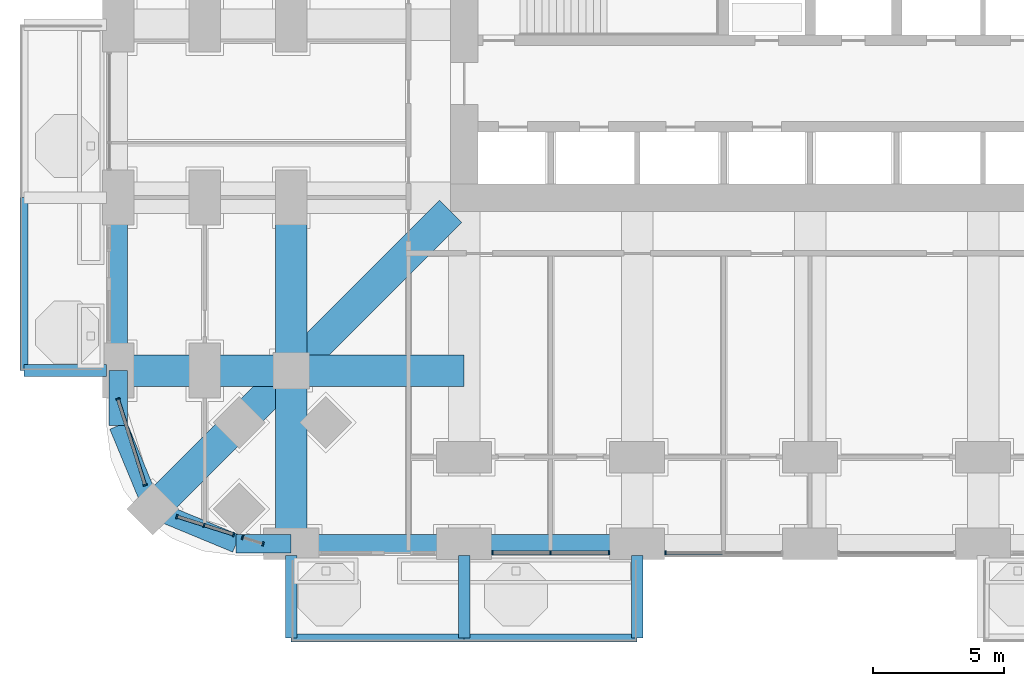
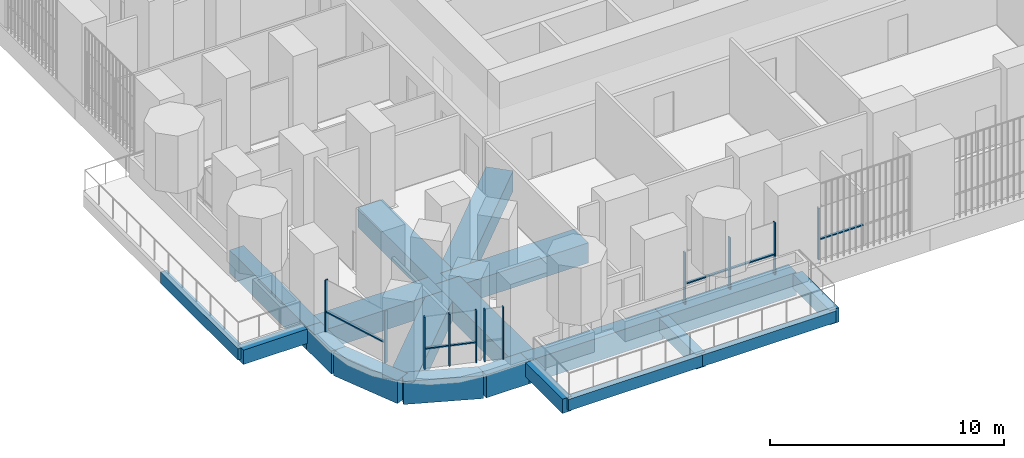
# One storey, part 2 of 27: 20 beams, 17 members, 5 elements without a shape of their own.
"""IFC4 building model written with IfcOpenShell, lengths in metres."""

from ifc_helpers import new_model, si_unit, direction, frame, origin, origin_2d, place, context, subcontext, project, spatial, rectangle, extrude, material, material_profile, profile_set, type_object, element, aggregate, save


model = new_model("IFC4")

# Units and contexts
model_context = context("Model", 3, precision=1e-05, world=origin(), true_north=direction((0.0, 1.0)))
body_context = subcontext(model_context, "Body", "Model", "MODEL_VIEW")
ifc_project = project(units=[si_unit("LENGTHUNIT", "METRE"), si_unit("AREAUNIT", "SQUARE_METRE"), si_unit("VOLUMEUNIT", "CUBIC_METRE"), si_unit("PLANEANGLEUNIT", "RADIAN"), si_unit("MASSUNIT", "GRAM", prefix="KILO")], contexts=[model_context])

# Site, building, storey
site_placement = place(None, origin())
site = spatial("IfcSite", under=ifc_project, at=site_placement, CompositionType="ELEMENT")
building_placement = place(site_placement, origin())
building = spatial("IfcBuilding", under=site, at=building_placement, Name="Cobogo Forest Laboratory Tower", CompositionType="ELEMENT")
storey_placement = place(building_placement, frame((0.0, 0.0, 38.10009765625)))
storey = spatial("IfcBuildingStorey", under=building, at=storey_placement, Name="L08", CompositionType="ELEMENT", Elevation=38.10009765625)

# Beams
ifc_material_1 = material(Name="Concrete HA-40 (C40/50)", Category="concrete")
ifc_material_profile_1 = material_profile(ifc_material_1, rectangle(XDim=0.449951171875, YDim=0.75, at=origin_2d()), Name="RC 450x750")
ifc_profile_set_1 = profile_set([ifc_material_profile_1], Name="Concrete HA-40 (C40/50)")
beam_type_1 = type_object("IfcBeamType", Name="Balcony cantilever beam 450x750", PredefinedType="BEAM", material=ifc_profile_set_1)
for number, where, z_axis, x_axis, name in (
    (1, (6.60009765625, -0.449951171875, -0.625), (0.0, -1.0, 0.0), (1.0, 0.0, 0.0), "CB1 BAL-S1-C1 L08"),
    (2, (13.199951171875, -0.449951171875, -0.625), (0.0, -1.0, 0.0), (1.0, 0.0, 0.0), "CB1 BAL-S1-C2 L08"),
    (3, (19.800048828125, -0.449951171875, -0.625), (0.0, -1.0, 0.0), (1.0, 0.0, 0.0), "CB1 BAL-S1-C3 L08"),
    (4, (-0.449951171875, 6.60009765625, -0.625), (-1.0, 0.0, 0.0), (0.0, -1.0, 0.0), "CB1 BAL-W1-C1 L08"),
):
    element("IfcBeam", number, at=place(storey_placement, frame(where, z_axis=z_axis, x_axis=x_axis)), inside=storey, type_object=beam_type_1, Name=name, PredefinedType="BEAM", context=body_context, shape_type="SweptSolid", body=[
        extrude(rectangle(XDim=0.449951171875, YDim=0.75, at=origin_2d()), origin(), (0.0, 0.0, 1.0), 3.150146484375),
    ])
ifc_material_profile_2 = material_profile(ifc_material_1, rectangle(XDim=0.300048828125, YDim=0.60009765625, at=origin_2d()), Name="RC 300x600")
ifc_profile_set_2 = profile_set([ifc_material_profile_2], Name="Concrete HA-40 (C40/50)")
beam_type_2 = type_object("IfcBeamType", Name="Balcony edge beam 300x600", PredefinedType="BEAM", material=ifc_profile_set_2)
beam_1_placement = place(storey_placement, frame((6.60009765625, -3.60009765625, -0.550048828125), z_axis=(1.0, 0.0, 0.0), x_axis=(0.0, 1.0, 0.0)))
element("IfcBeam", 5, at=beam_1_placement, inside=storey, type_object=beam_type_2, Name="BB1 BAL-S1-T1 L08", PredefinedType="BEAM", context=body_context, shape_type="SweptSolid", body=[
    extrude(rectangle(XDim=0.300048828125, YDim=0.60009765625, at=origin_2d()), origin(), (0.0, 0.0, 1.0), 6.599853515625),
])
beam_2_placement = place(storey_placement, frame((13.199951171875, -3.60009765625, -0.550048828125), z_axis=(1.0, 0.0, 0.0), x_axis=(0.0, 1.0, 0.0)))
element("IfcBeam", 6, at=beam_2_placement, inside=storey, type_object=beam_type_2, Name="BB1 BAL-S1-T2 L08", PredefinedType="BEAM", context=body_context, shape_type="SweptSolid", body=[
    extrude(rectangle(XDim=0.300048828125, YDim=0.60009765625, at=origin_2d()), origin(), (0.0, 0.0, 1.0), 6.60009765625),
])
beam_3_placement = place(storey_placement, frame((-3.60009765625, 6.60009765625, -0.550048828125), z_axis=(0.0, 1.0, 0.0), x_axis=(-1.0, 0.0, 0.0)))
element("IfcBeam", 7, at=beam_3_placement, inside=storey, type_object=beam_type_2, Name="BB1 BAL-W1-T1 L08", PredefinedType="BEAM", context=body_context, shape_type="SweptSolid", body=[
    extrude(rectangle(XDim=0.300048828125, YDim=0.60009765625, at=origin_2d()), origin(), (0.0, 0.0, 1.0), 6.599853515625),
])
ifc_material_profile_3 = material_profile(ifc_material_1, rectangle(XDim=1.199951171875, YDim=1.050048828125, at=origin_2d()), Name="RC 1200x1050")
ifc_profile_set_3 = profile_set([ifc_material_profile_3], Name="Concrete HA-40 (C40/50)")
beam_type_3 = type_object("IfcBeamType", Name="Laboratory floor wide beam 1200x1050", PredefinedType="BEAM", material=ifc_profile_set_3)
beam_4_placement = place(storey_placement, frame((6.60009765625, 0.0, -0.8251953125), z_axis=(0.0, 1.0, 0.0), x_axis=(-1.0, 0.0, 0.0)))
element("IfcBeam", 8, at=beam_4_placement, inside=storey, type_object=beam_type_3, Name="RB1 G-SW-XF L08", PredefinedType="BEAM", context=body_context, shape_type="SweptSolid", body=[
    extrude(rectangle(XDim=1.199951171875, YDim=1.050048828125, at=origin_2d()), origin(), (0.0, 0.0, 1.0), 6.60009765625),
])
beam_5_placement = place(storey_placement, frame((6.60009765625, 6.60009765625, -0.8251953125), z_axis=(0.0, 1.0, 0.0), x_axis=(-1.0, 0.0, 0.0)))
element("IfcBeam", 9, at=beam_5_placement, inside=storey, type_object=beam_type_3, Name="RB1 G-SW-XC L08", PredefinedType="BEAM", context=body_context, shape_type="SweptSolid", body=[
    extrude(rectangle(XDim=1.199951171875, YDim=1.050048828125, at=origin_2d()), origin(), (0.0, 0.0, 1.0), 6.599853515625),
])
beam_6_placement = place(storey_placement, frame((0.0, 6.60009765625, -0.8251953125), z_axis=(1.0, 0.0, 0.0), x_axis=(0.0, 1.0, 0.0)))
element("IfcBeam", 10, at=beam_6_placement, inside=storey, type_object=beam_type_3, Name="RB1 G-SW-YF L08", PredefinedType="BEAM", context=body_context, shape_type="SweptSolid", body=[
    extrude(rectangle(XDim=1.199951171875, YDim=1.050048828125, at=origin_2d()), origin(), (0.0, 0.0, 1.0), 6.60009765625),
])
beam_7_placement = place(storey_placement, frame((6.60009765625, 6.60009765625, -0.8251953125), z_axis=(1.0, 0.0, 0.0), x_axis=(0.0, 1.0, 0.0)))
element("IfcBeam", 11, at=beam_7_placement, inside=storey, type_object=beam_type_3, Name="RB1 G-SW-YC L08", PredefinedType="BEAM", context=body_context, shape_type="SweptSolid", body=[
    extrude(rectangle(XDim=1.199951171875, YDim=1.050048828125, at=origin_2d()), origin(), (0.0, 0.0, 1.0), 6.599853515625),
])
beam_8_placement = place(storey_placement, frame((1.318115234375, 1.318115234375, -0.8251953125), z_axis=(0.707106781187, 0.707106781187, 0.0), x_axis=(-0.707106781187, 0.707106781187, 0.0)))
element("IfcBeam", 12, at=beam_8_placement, inside=storey, type_object=beam_type_3, Name="RB1 G-SW-D1 L08", PredefinedType="BEAM", context=body_context, shape_type="SweptSolid", body=[
    extrude(rectangle(XDim=1.199951171875, YDim=1.050048828125, at=origin_2d()), origin(), (0.0, 0.0, 1.0), 7.469970703125),
])
beam_9_placement = place(storey_placement, frame((6.60009765625, 6.60009765625, -0.8251953125), z_axis=(0.707106781187, 0.707106781187, 0.0), x_axis=(-0.707106781187, 0.707106781187, 0.0)))
element("IfcBeam", 13, at=beam_9_placement, inside=storey, type_object=beam_type_3, Name="RB1 G-SW-D2 L08", PredefinedType="BEAM", context=body_context, shape_type="SweptSolid", body=[
    extrude(rectangle(XDim=1.199951171875, YDim=1.050048828125, at=origin_2d()), origin(), (0.0, 0.0, 1.0), 8.59130859375),
])

# Curtain wall, members
ifc_material_2 = material(Name="Aluminium curtain wall", Category="aluminium")
curtain_wall_type = type_object("IfcCurtainWallType", Name="CW-1 unitised curtain wall, clear glazing, laboratory floors zones A and B", PredefinedType="USERDEFINED", material=ifc_material_2)
curtain_wall_1_placement = place(storey_placement, origin())
curtain_wall_1 = element("IfcCurtainWall", 14, at=curtain_wall_1_placement, inside=storey, type_object=curtain_wall_type, Name="Curtain wall 02 L08", ObjectType="UNITISED CURTAIN WALL", PredefinedType="USERDEFINED")
ifc_material_3 = material(Name="Aluminium mullion", Category="aluminium")
ifc_material_profile_4 = material_profile(ifc_material_3, rectangle(XDim=0.06005859375, YDim=0.159912109375, at=origin_2d()), Name="AL 60x160")
ifc_profile_set_4 = profile_set([ifc_material_profile_4], Name="Aluminium mullion")
member_type_1 = type_object("IfcMemberType", Name="MU-1 aluminium mullion 60x160", PredefinedType="MULLION", material=ifc_profile_set_4)
member_1_placement = place(storey_placement, frame((14.280029296875, -0.35009765625, 0.0), z_axis=(0.0, 0.0, 1.0), x_axis=(1.0, 0.0, 0.0)))
member_1 = element("IfcMember", 15, at=member_1_placement, type_object=member_type_1, Name="CW-1 mullion 1", PredefinedType="MULLION", context=body_context, shape_type="SweptSolid", body=[
    extrude(rectangle(XDim=0.06005859375, YDim=0.159912109375, at=origin_2d()), origin(), (0.0, 0.0, 1.0), 2.699951171875),
])
member_2_placement = place(storey_placement, frame((16.5, -0.35009765625, 0.0), z_axis=(0.0, 0.0, 1.0), x_axis=(1.0, 0.0, 0.0)))
member_2 = element("IfcMember", 16, at=member_2_placement, type_object=member_type_1, Name="CW-1 mullion 2", PredefinedType="MULLION", context=body_context, shape_type="SweptSolid", body=[
    extrude(rectangle(XDim=0.06005859375, YDim=0.159912109375, at=origin_2d()), origin(), (0.0, 0.0, 1.0), 2.699951171875),
])
member_3_placement = place(storey_placement, frame((18.719970703125, -0.35009765625, 0.0), z_axis=(0.0, 0.0, 1.0), x_axis=(1.0, 0.0, 0.0)))
member_3 = element("IfcMember", 17, at=member_3_placement, type_object=member_type_1, Name="CW-1 mullion 3", PredefinedType="MULLION", context=body_context, shape_type="SweptSolid", body=[
    extrude(rectangle(XDim=0.06005859375, YDim=0.159912109375, at=origin_2d()), origin(), (0.0, 0.0, 1.0), 2.699951171875),
])

# Curtain wall, member
curtain_wall_2_placement = place(storey_placement, origin())
curtain_wall_2 = element("IfcCurtainWall", 18, at=curtain_wall_2_placement, inside=storey, type_object=curtain_wall_type, Name="Curtain wall 03 L08", ObjectType="UNITISED CURTAIN WALL", PredefinedType="USERDEFINED")
member_4_placement = place(storey_placement, frame((20.8798828125, -0.35009765625, 0.0), z_axis=(0.0, 0.0, 1.0), x_axis=(1.0, 0.0, 0.0)))
member_4 = element("IfcMember", 19, at=member_4_placement, type_object=member_type_1, Name="CW-1 mullion 1", PredefinedType="MULLION", context=body_context, shape_type="SweptSolid", body=[
    extrude(rectangle(XDim=0.06005859375, YDim=0.159912109375, at=origin_2d()), origin(), (0.0, 0.0, 1.0), 2.699951171875),
])

# Curtain wall, members
curtain_wall_3_placement = place(storey_placement, origin())
curtain_wall_3 = element("IfcCurtainWall", 20, at=curtain_wall_3_placement, inside=storey, type_object=curtain_wall_type, Name="Curtain wall 32 L08", ObjectType="UNITISED CURTAIN WALL", PredefinedType="USERDEFINED")
member_5_placement = place(storey_placement, frame((-0.00927734375, 5.521484375, 0.0), z_axis=(0.0, 0.0, 1.0), x_axis=(0.30113535792, -0.95358140513, 0.0)))
member_5 = element("IfcMember", 21, at=member_5_placement, type_object=member_type_1, Name="CW-1 mullion 1", PredefinedType="MULLION", context=body_context, shape_type="SweptSolid", body=[
    extrude(rectangle(XDim=0.06005859375, YDim=0.159912109375, at=origin_2d()), origin(), (0.0, 0.0, 1.0), 2.699951171875),
])
member_6_placement = place(storey_placement, frame((1.02734375, 2.23876953125, 0.0), z_axis=(0.0, 0.0, 1.0), x_axis=(0.30113535792, -0.95358140513, 0.0)))
member_6 = element("IfcMember", 22, at=member_6_placement, type_object=member_type_1, Name="CW-1 mullion 2", PredefinedType="MULLION", context=body_context, shape_type="SweptSolid", body=[
    extrude(rectangle(XDim=0.06005859375, YDim=0.159912109375, at=origin_2d()), origin(), (0.0, 0.0, 1.0), 2.699951171875),
])

curtain_wall_4_placement = place(storey_placement, origin())
curtain_wall_4 = element("IfcCurtainWall", 23, at=curtain_wall_4_placement, inside=storey, type_object=curtain_wall_type, Name="Curtain wall 33 L08", ObjectType="UNITISED CURTAIN WALL", PredefinedType="USERDEFINED")
member_7_placement = place(storey_placement, frame((2.23876953125, 1.02734375, 0.0), z_axis=(0.0, 0.0, 1.0), x_axis=(0.953581409645, -0.301135343623, 0.0)))
member_7 = element("IfcMember", 24, at=member_7_placement, type_object=member_type_1, Name="CW-1 mullion 1", PredefinedType="MULLION", context=body_context, shape_type="SweptSolid", body=[
    extrude(rectangle(XDim=0.06005859375, YDim=0.159912109375, at=origin_2d()), origin(), (0.0, 0.0, 1.0), 2.699951171875),
])
member_8_placement = place(storey_placement, frame((3.27587890625, 0.69970703125, 0.0), z_axis=(0.0, 0.0, 1.0), x_axis=(0.953581409645, -0.301135343623, 0.0)))
member_8 = element("IfcMember", 25, at=member_8_placement, type_object=member_type_1, Name="CW-1 mullion 2", PredefinedType="MULLION", context=body_context, shape_type="SweptSolid", body=[
    extrude(rectangle(XDim=0.06005859375, YDim=0.159912109375, at=origin_2d()), origin(), (0.0, 0.0, 1.0), 2.699951171875),
])
member_9_placement = place(storey_placement, frame((4.39697265625, 0.345703125, 0.0), z_axis=(0.0, 0.0, 1.0), x_axis=(0.953581409645, -0.301135343623, 0.0)))
member_9 = element("IfcMember", 26, at=member_9_placement, type_object=member_type_1, Name="CW-1 mullion 3", PredefinedType="MULLION", context=body_context, shape_type="SweptSolid", body=[
    extrude(rectangle(XDim=0.06005859375, YDim=0.159912109375, at=origin_2d()), origin(), (0.0, 0.0, 1.0), 2.699951171875),
])

curtain_wall_5_placement = place(storey_placement, origin())
curtain_wall_5 = element("IfcCurtainWall", 27, at=curtain_wall_5_placement, inside=storey, type_object=curtain_wall_type, Name="Curtain wall 34 L08", ObjectType="UNITISED CURTAIN WALL", PredefinedType="USERDEFINED")
member_10_placement = place(storey_placement, frame((4.74658203125, 0.2353515625, 0.0), z_axis=(0.0, 0.0, 1.0), x_axis=(0.953581504428, -0.301135043481, 0.0)))
member_10 = element("IfcMember", 28, at=member_10_placement, type_object=member_type_1, Name="CW-1 mullion 1", PredefinedType="MULLION", context=body_context, shape_type="SweptSolid", body=[
    extrude(rectangle(XDim=0.06005859375, YDim=0.159912109375, at=origin_2d()), origin(), (0.0, 0.0, 1.0), 2.699951171875),
])
member_11_placement = place(storey_placement, frame((5.521484375, -0.00927734375, 0.0), z_axis=(0.0, 0.0, 1.0), x_axis=(0.953581504428, -0.301135043481, 0.0)))
member_11 = element("IfcMember", 29, at=member_11_placement, type_object=member_type_1, Name="CW-1 mullion 2", PredefinedType="MULLION", context=body_context, shape_type="SweptSolid", body=[
    extrude(rectangle(XDim=0.06005859375, YDim=0.159912109375, at=origin_2d()), origin(), (0.0, 0.0, 1.0), 2.699951171875),
])
aggregate(curtain_wall_5, [member_10, member_11])

# Beams
ifc_material_profile_5 = material_profile(ifc_material_1, rectangle(XDim=0.699951171875, YDim=1.199951171875, at=origin_2d()), Name="RC 700x1200")
ifc_profile_set_5 = profile_set([ifc_material_profile_5], Name="Concrete HA-40 (C40/50)")
beam_type_4 = type_object("IfcBeamType", Name="Perimeter edge beam 700x1200", PredefinedType="BEAM", material=ifc_profile_set_5)
beam_10_placement = place(storey_placement, frame((6.60009765625, 0.0, -0.900146484375), z_axis=(1.0, 0.0, 0.0), x_axis=(0.0, 1.0, 0.0)))
element("IfcBeam", 30, at=beam_10_placement, inside=storey, type_object=beam_type_4, Name="EB1 E-S1 L08", PredefinedType="BEAM", context=body_context, shape_type="SweptSolid", body=[
    extrude(rectangle(XDim=0.699951171875, YDim=1.199951171875, at=origin_2d()), origin(), (0.0, 0.0, 1.0), 6.599853515625),
])
beam_11_placement = place(storey_placement, frame((13.199951171875, 0.0, -0.900146484375), z_axis=(1.0, 0.0, 0.0), x_axis=(0.0, 1.0, 0.0)))
element("IfcBeam", 31, at=beam_11_placement, inside=storey, type_object=beam_type_4, Name="EB1 E-S2 L08", PredefinedType="BEAM", context=body_context, shape_type="SweptSolid", body=[
    extrude(rectangle(XDim=0.699951171875, YDim=1.199951171875, at=origin_2d()), origin(), (0.0, 0.0, 1.0), 6.60009765625),
])
beam_12_placement = place(storey_placement, frame((0.0, 6.60009765625, -0.900146484375), z_axis=(0.0, 1.0, 0.0), x_axis=(-1.0, 0.0, 0.0)))
element("IfcBeam", 32, at=beam_12_placement, inside=storey, type_object=beam_type_4, Name="EB1 E-W1 L08", PredefinedType="BEAM", context=body_context, shape_type="SweptSolid", body=[
    extrude(rectangle(XDim=0.699951171875, YDim=1.199951171875, at=origin_2d()), origin(), (0.0, 0.0, 1.0), 6.599853515625),
])
beam_13_placement = place(storey_placement, frame((6.60009765625, 0.0, -0.900146484375), z_axis=(-1.0, 0.0, 0.0), x_axis=(0.0, -1.0, 0.0)))
element("IfcBeam", 33, at=beam_13_placement, inside=storey, type_object=beam_type_4, Name="EB1 E-SWS1 L08", PredefinedType="BEAM", context=body_context, shape_type="SweptSolid", body=[
    extrude(rectangle(XDim=0.699951171875, YDim=1.199951171875, at=origin_2d()), origin(), (0.0, 0.0, 1.0), 2.10009765625),
])
beam_14_placement = place(storey_placement, frame((4.5, 0.0, -0.900146484375), z_axis=(-0.923865631356, 0.382716990999, 0.0), x_axis=(-0.382716990999, -0.923865631356, 0.0)))
element("IfcBeam", 34, at=beam_14_placement, inside=storey, type_object=beam_type_4, Name="EB1 E-SWS2 L08", PredefinedType="BEAM", context=body_context, shape_type="SweptSolid", body=[
    extrude(rectangle(XDim=0.699951171875, YDim=1.199951171875, at=origin_2d()), origin(), (0.0, 0.0, 1.0), 3.444091796875),
])
beam_15_placement = place(storey_placement, frame((0.0, 6.60009765625, -0.900146484375), z_axis=(0.0, -1.0, 0.0), x_axis=(1.0, 0.0, 0.0)))
element("IfcBeam", 35, at=beam_15_placement, inside=storey, type_object=beam_type_4, Name="EB1 E-SWW1 L08", PredefinedType="BEAM", context=body_context, shape_type="SweptSolid", body=[
    extrude(rectangle(XDim=0.699951171875, YDim=1.199951171875, at=origin_2d()), origin(), (0.0, 0.0, 1.0), 2.10009765625),
])
beam_16_placement = place(storey_placement, frame((0.0, 4.5, -0.900146484375), z_axis=(0.382716990999, -0.923865631356, 0.0), x_axis=(0.923865631356, 0.382716990999, 0.0)))
element("IfcBeam", 36, at=beam_16_placement, inside=storey, type_object=beam_type_4, Name="EB1 E-SWW2 L08", PredefinedType="BEAM", context=body_context, shape_type="SweptSolid", body=[
    extrude(rectangle(XDim=0.699951171875, YDim=1.199951171875, at=origin_2d()), origin(), (0.0, 0.0, 1.0), 3.444091796875),
])

# Member
ifc_material_4 = material(Name="Aluminium transom", Category="aluminium")
ifc_material_profile_6 = material_profile(ifc_material_4, rectangle(XDim=0.1201171875, YDim=0.06005859375, at=origin_2d()), Name="AL 60x120")
ifc_profile_set_6 = profile_set([ifc_material_profile_6], Name="Aluminium transom")
member_type_2 = type_object("IfcMemberType", Name="TR-1 aluminium transom 60x120", PredefinedType="USERDEFINED", material=ifc_profile_set_6)
member_12_placement = place(storey_placement, frame((14.31005859375, -0.35009765625, 1.0498046875), z_axis=(1.0, 0.0, 0.0), x_axis=(0.0, 1.0, 0.0)))
member_12 = element("IfcMember", 37, at=member_12_placement, type_object=member_type_2, Name="CW-1 transom 1.1", ObjectType="TRANSOM", PredefinedType="USERDEFINED", context=body_context, shape_type="SweptSolid", body=[
    extrude(rectangle(XDim=0.1201171875, YDim=0.06005859375, at=origin_2d()), origin(), (0.0, 0.0, 1.0), 2.159912109375),
])

member_13_placement = place(storey_placement, frame((16.530029296875, -0.35009765625, 1.0498046875), z_axis=(1.0, 0.0, 0.0), x_axis=(0.0, 1.0, 0.0)))
member_13 = element("IfcMember", 38, at=member_13_placement, type_object=member_type_2, Name="CW-1 transom 2.1", ObjectType="TRANSOM", PredefinedType="USERDEFINED", context=body_context, shape_type="SweptSolid", body=[
    extrude(rectangle(XDim=0.1201171875, YDim=0.06005859375, at=origin_2d()), origin(), (0.0, 0.0, 1.0), 2.159912109375),
])

aggregate(curtain_wall_1, [member_1, member_2, member_3, member_12, member_13])

member_14_placement = place(storey_placement, frame((20.909912109375, -0.35009765625, 1.0498046875), z_axis=(1.0, 0.0, 0.0), x_axis=(0.0, 1.0, 0.0)))
member_14 = element("IfcMember", 39, at=member_14_placement, type_object=member_type_2, Name="CW-1 transom 1.1", ObjectType="TRANSOM", PredefinedType="USERDEFINED", context=body_context, shape_type="SweptSolid", body=[
    extrude(rectangle(XDim=0.1201171875, YDim=0.06005859375, at=origin_2d()), origin(), (0.0, 0.0, 1.0), 2.16015625),
])

aggregate(curtain_wall_2, [member_4, member_14])

member_15_placement = place(storey_placement, frame((-0.000244140625, 5.49267578125, 1.0498046875), z_axis=(0.301138276922, -0.953580483322, 0.0), x_axis=(0.953580483322, 0.301138276922, 0.0)))
member_15 = element("IfcMember", 40, at=member_15_placement, type_object=member_type_2, Name="CW-1 transom 1.1", ObjectType="TRANSOM", PredefinedType="USERDEFINED", context=body_context, shape_type="SweptSolid", body=[
    extrude(rectangle(XDim=0.1201171875, YDim=0.06005859375, at=origin_2d()), origin(), (0.0, 0.0, 1.0), 3.38232421875),
])

aggregate(curtain_wall_3, [member_5, member_6, member_15])

member_16_placement = place(storey_placement, frame((2.267333984375, 1.018310546875, 1.0498046875), z_axis=(0.953553938535, -0.301222320394, 0.0), x_axis=(0.301222320394, 0.953553938535, 0.0)))
member_16 = element("IfcMember", 41, at=member_16_placement, type_object=member_type_2, Name="CW-1 transom 1.1", ObjectType="TRANSOM", PredefinedType="USERDEFINED", context=body_context, shape_type="SweptSolid", body=[
    extrude(rectangle(XDim=0.1201171875, YDim=0.06005859375, at=origin_2d()), origin(), (0.0, 0.0, 1.0), 1.02783203125),
])

member_17_placement = place(storey_placement, frame((3.304443359375, 0.690673828125, 1.0498046875), z_axis=(0.953595892327, -0.301089478624, 0.0), x_axis=(0.301089478624, 0.953595892327, 0.0)))
member_17 = element("IfcMember", 42, at=member_17_placement, type_object=member_type_2, Name="CW-1 transom 2.1", ObjectType="TRANSOM", PredefinedType="USERDEFINED", context=body_context, shape_type="SweptSolid", body=[
    extrude(rectangle(XDim=0.1201171875, YDim=0.06005859375, at=origin_2d()), origin(), (0.0, 0.0, 1.0), 1.11572265625),
])

aggregate(curtain_wall_4, [member_7, member_8, member_9, member_16, member_17])

save(model, "model.ifc")
